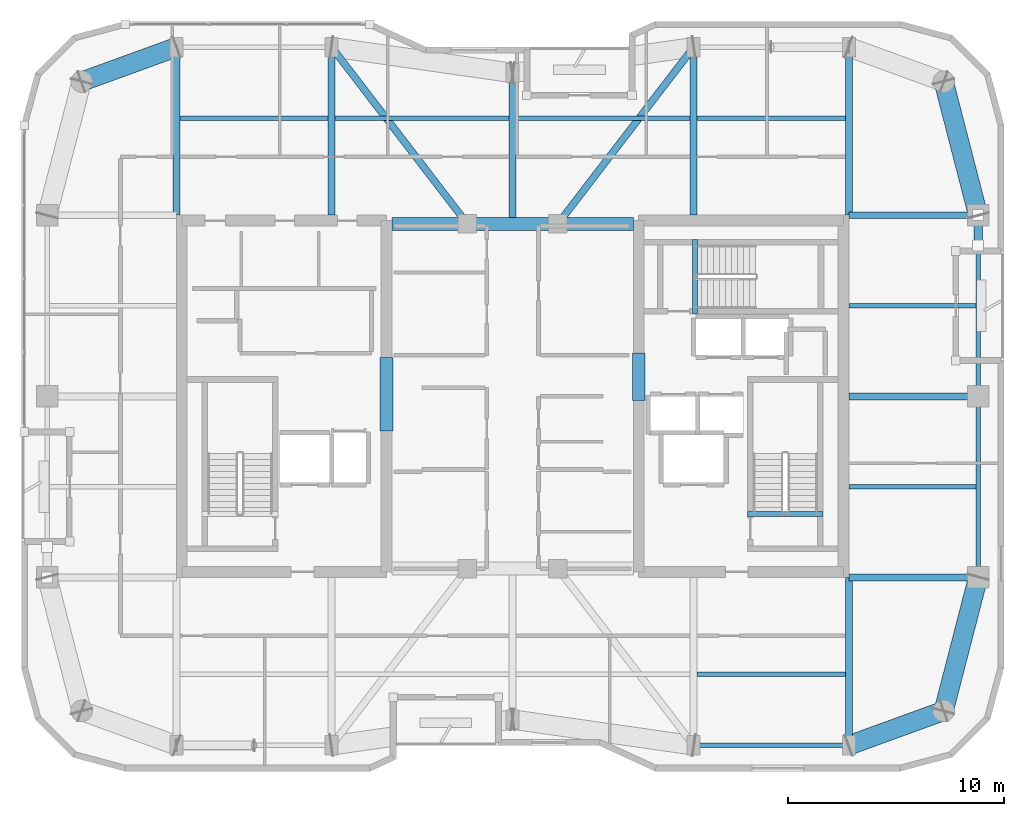
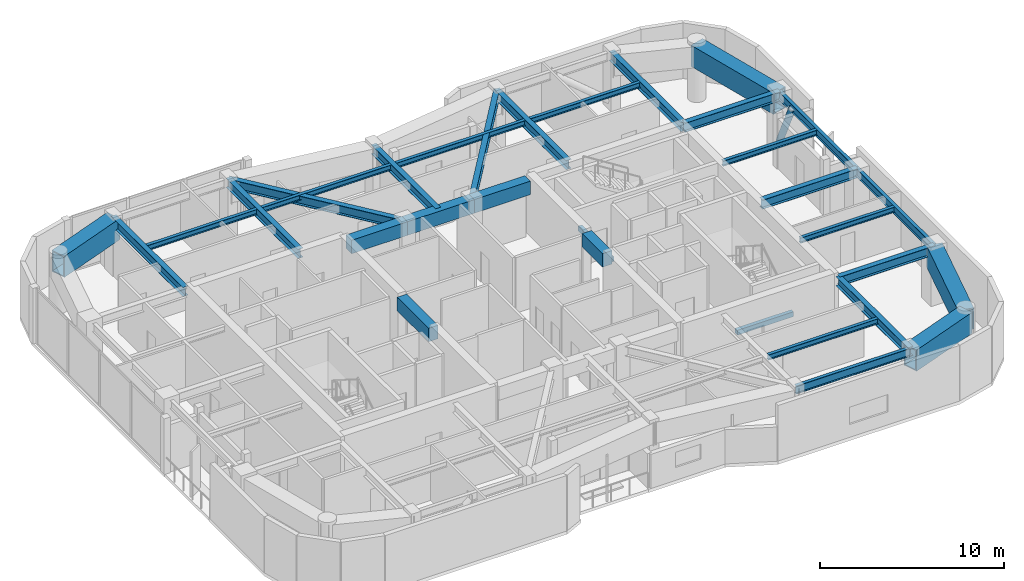
# One storey, part 5 of 15: 32 beams, 1 member.
"""IFC4 building model written with IfcOpenShell, lengths in metres."""

from ifc_helpers import new_model, si_unit, direction, frame, origin, origin_2d, place, context, subcontext, project, spatial, rectangle, hollow_rectangle, hollow_circle, i_section, extrude, material, material_profile, profile_set, type_object, element, save


model = new_model("IFC4")

# Units and contexts
model_context = context("Model", 3, precision=1e-05, world=origin(), true_north=direction((0.0, 1.0)))
body_context = subcontext(model_context, "Body", "Model", "MODEL_VIEW")
ifc_project = project(units=[si_unit("LENGTHUNIT", "METRE"), si_unit("AREAUNIT", "SQUARE_METRE"), si_unit("VOLUMEUNIT", "CUBIC_METRE"), si_unit("PLANEANGLEUNIT", "RADIAN"), si_unit("MASSUNIT", "GRAM", prefix="KILO")], contexts=[model_context])

# Site, building, storey
site_placement = place(None, origin())
site = spatial("IfcSite", under=ifc_project, at=site_placement, CompositionType="ELEMENT")
building_placement = place(site_placement, origin())
building = spatial("IfcBuilding", under=site, at=building_placement, Name="Kiyonajd Concourse Tower", CompositionType="ELEMENT")
storey_placement = place(building_placement, frame((0.0, 0.0, 262.800048828125)))
storey = spatial("IfcBuildingStorey", under=building, at=storey_placement, Name="L66", CompositionType="ELEMENT", Elevation=262.800048828125)

# Beams
ifc_material_1 = material(Name="Concrete C60/75", Category="concrete")
ifc_material_profile_1 = material_profile(ifc_material_1, rectangle(XDim=0.60009765625, YDim=0.89990234375, at=origin_2d()), Name="RCBM-600x900")
ifc_profile_set_1 = profile_set([ifc_material_profile_1], Name="Concrete C60/75")
beam_type_1 = type_object("IfcBeamType", Name="BM-COUP-900", PredefinedType="LINTEL", material=ifc_profile_set_1)
beam_1_placement = place(storey_placement, frame((42.39990234375, 44.0, 3.22998046875), z_axis=(1.0, 0.0, 0.0), x_axis=(0.0, 1.0, 0.0)))
element("IfcBeam", 1, at=beam_1_placement, inside=storey, type_object=beam_type_1, Name="L66 Core Coupling Beam N1", PredefinedType="LINTEL", context=body_context, shape_type="SweptSolid", body=[
    extrude(rectangle(XDim=0.60009765625, YDim=0.89990234375, at=origin_2d()), origin(), (0.0, 0.0, 1.0), 3.5),
])
beam_2_placement = place(storey_placement, frame((45.89990234375, 44.0, 3.22998046875), z_axis=(1.0, 0.0, 0.0), x_axis=(0.0, 1.0, 0.0)))
element("IfcBeam", 2, at=beam_2_placement, inside=storey, type_object=beam_type_1, Name="L66 Core Coupling Beam N2", PredefinedType="LINTEL", context=body_context, shape_type="SweptSolid", body=[
    extrude(rectangle(XDim=0.60009765625, YDim=0.89990234375, at=origin_2d()), origin(), (0.0, 0.0, 1.0), 4.2001953125),
])
beam_3_placement = place(storey_placement, frame((50.10009765625, 44.0, 3.22998046875), z_axis=(1.0, 0.0, 0.0), x_axis=(0.0, 1.0, 0.0)))
element("IfcBeam", 3, at=beam_3_placement, inside=storey, type_object=beam_type_1, Name="L66 Core Coupling Beam N3", PredefinedType="LINTEL", context=body_context, shape_type="SweptSolid", body=[
    extrude(rectangle(XDim=0.60009765625, YDim=0.89990234375, at=origin_2d()), origin(), (0.0, 0.0, 1.0), 3.5),
])
beam_4_placement = place(storey_placement, frame((42.14990234375, 34.39990234375, 3.22998046875), z_axis=(0.0, 1.0, 0.0), x_axis=(-1.0, 0.0, 0.0)))
element("IfcBeam", 4, at=beam_4_placement, inside=storey, type_object=beam_type_1, Name="L66 West Core Throat Coupling Lintel", PredefinedType="LINTEL", context=body_context, shape_type="SweptSolid", body=[
    extrude(rectangle(XDim=0.60009765625, YDim=0.89990234375, at=origin_2d()), origin(), (0.0, 0.0, 1.0), 3.400146484375),
])
beam_5_placement = place(storey_placement, frame((53.85009765625, 35.800048828125, 3.22998046875), z_axis=(0.0, 1.0, 0.0), x_axis=(-1.0, 0.0, 0.0)))
element("IfcBeam", 5, at=beam_5_placement, inside=storey, type_object=beam_type_1, Name="L66 East Core Throat Coupling Lintel", PredefinedType="LINTEL", context=body_context, shape_type="SweptSolid", body=[
    extrude(rectangle(XDim=0.60009765625, YDim=0.89990234375, at=origin_2d()), origin(), (0.0, 0.0, 1.0), 2.199951171875),
])
ifc_material_2 = material(Name="Steel ASTM A992 Grade 50", Category="steel")
ifc_material_profile_2 = material_profile(ifc_material_2, i_section(OverallWidth=0.205078125, OverallDepth=0.35400390625, WebThickness=0.009521484375, FlangeThickness=0.016845703125, at=origin_2d()), Name="W360X79")
ifc_profile_set_2 = profile_set([ifc_material_profile_2], Name="Steel ASTM A992 Grade 50")
beam_type_2 = type_object("IfcBeamType", Name="BM-JST-360", PredefinedType="JOIST", material=ifc_profile_set_2)
for number, where, z_axis, x_axis, name in (
    (6, (56.56201171875, 23.10009765625, 3.5029296875), (1.0, 0.0, 0.0), (0.0, 1.0, 0.0), "L66 Secondary Floor Joist"),
    (7, (32.56201171875, 48.89990234375, 3.5029296875), (1.0, 0.0, 0.0), (0.0, 1.0, 0.0), "L66 Secondary Floor Joist"),
):
    element("IfcBeam", number, at=place(storey_placement, frame(where, z_axis=z_axis, x_axis=x_axis)), inside=storey, type_object=beam_type_2, Name=name, PredefinedType="JOIST", context=body_context, shape_type="SweptSolid", body=[
        extrude(i_section(OverallWidth=0.205078125, OverallDepth=0.35400390625, WebThickness=0.009521484375, FlangeThickness=0.016845703125, at=origin_2d()), origin(), (0.0, 0.0, 1.0), 6.8759765625),
    ])
for number, where, z_axis, x_axis, name in (
    (8, (39.761962890625, 48.89990234375, 3.5029296875), (1.0, 0.0, 0.0), (0.0, 1.0, 0.0), "L66 Secondary Floor Joist"),
    (9, (48.162109375, 48.89990234375, 3.5029296875), (1.0, 0.0, 0.0), (0.0, 1.0, 0.0), "L66 Secondary Floor Joist"),
):
    element("IfcBeam", number, at=place(storey_placement, frame(where, z_axis=z_axis, x_axis=x_axis)), inside=storey, type_object=beam_type_2, Name=name, PredefinedType="JOIST", context=body_context, shape_type="SweptSolid", body=[
        extrude(i_section(OverallWidth=0.205078125, OverallDepth=0.35400390625, WebThickness=0.009521484375, FlangeThickness=0.016845703125, at=origin_2d()), origin(), (0.0, 0.0, 1.0), 8.075927734375),
    ])
beam_6_placement = place(storey_placement, frame((56.56201171875, 48.89990234375, 3.5029296875), z_axis=(1.0, 0.0, 0.0), x_axis=(0.0, 1.0, 0.0)))
element("IfcBeam", 10, at=beam_6_placement, inside=storey, type_object=beam_type_2, Name="L66 Secondary Floor Joist", PredefinedType="JOIST", context=body_context, shape_type="SweptSolid", body=[
    extrude(i_section(OverallWidth=0.205078125, OverallDepth=0.35400390625, WebThickness=0.009521484375, FlangeThickness=0.016845703125, at=origin_2d()), origin(), (0.0, 0.0, 1.0), 6.8759765625),
])
for number, where, z_axis, x_axis, name in (
    (11, (63.60009765625, 31.800048828125, 3.5029296875), (1.0, 0.0, 0.0), (0.0, 1.0, 0.0), "L66 East Secondary Floor Joist"),
    (12, (63.60009765625, 40.199951171875, 3.5029296875), (1.0, 0.0, 0.0), (0.0, 1.0, 0.0), "L66 East Secondary Floor Joist"),
):
    element("IfcBeam", number, at=place(storey_placement, frame(where, z_axis=z_axis, x_axis=x_axis)), inside=storey, type_object=beam_type_2, Name=name, PredefinedType="JOIST", context=body_context, shape_type="SweptSolid", body=[
        extrude(i_section(OverallWidth=0.205078125, OverallDepth=0.35400390625, WebThickness=0.009521484375, FlangeThickness=0.016845703125, at=origin_2d()), origin(), (0.0, 0.0, 1.0), 5.894287109375),
    ])
ifc_material_3 = material(Name="Concrete C50/60", Category="concrete")
ifc_material_profile_3 = material_profile(ifc_material_3, rectangle(XDim=0.239990234375, YDim=0.320068359375, at=origin_2d()), Name="RCBM-240x320")
ifc_profile_set_3 = profile_set([ifc_material_profile_3], Name="Concrete C50/60")
beam_type_3 = type_object("IfcBeamType", Name="BM-LNT-250", PredefinedType="LINTEL", material=ifc_profile_set_3)
beam_7_placement = place(storey_placement, frame((58.889892578125, 30.530029296875, -0.16015625), z_axis=(1.0, 0.0, 0.0), x_axis=(0.0, 1.0, 0.0)))
element("IfcBeam", 13, at=beam_7_placement, inside=storey, type_object=beam_type_3, Name="L66 Stair ST2 Threshold Support Beam", PredefinedType="LINTEL", context=body_context, shape_type="SweptSolid", body=[
    extrude(rectangle(XDim=0.239990234375, YDim=0.320068359375, at=origin_2d()), origin(), (0.0, 0.0, 1.0), 3.52001953125),
])
beam_8_placement = place(storey_placement, frame((56.4599609375, 39.820068359375, -0.16015625), z_axis=(0.0, 1.0, 0.0), x_axis=(-1.0, 0.0, 0.0)))
element("IfcBeam", 14, at=beam_8_placement, inside=storey, type_object=beam_type_3, Name="L66 Stair ST3 Threshold Support Beam", PredefinedType="LINTEL", context=body_context, shape_type="SweptSolid", body=[
    extrude(rectangle(XDim=0.239990234375, YDim=0.320068359375, at=origin_2d()), origin(), (0.0, 0.0, 1.0), 3.4599609375),
])
ifc_material_profile_4 = material_profile(ifc_material_2, i_section(OverallWidth=0.2109375, OverallDepth=0.5390625, WebThickness=0.01171875, FlangeThickness=0.018798828125, at=origin_2d()), Name="W530X109")
ifc_profile_set_4 = profile_set([ifc_material_profile_4], Name="Steel ASTM A992 Grade 50")
beam_type_4 = type_object("IfcBeamType", Name="BM-SPAN-530B", PredefinedType="SPANDREL", material=ifc_profile_set_4)
beam_9_placement = place(storey_placement, frame((56.39990234375, 19.800048828125, 3.410400390625), z_axis=(1.0, 0.0, 0.0), x_axis=(0.0, 1.0, 0.0)))
element("IfcBeam", 15, at=beam_9_placement, inside=storey, type_object=beam_type_4, Name="L66 Perimeter Bundled Tube Spandrel", PredefinedType="SPANDREL", context=body_context, shape_type="SweptSolid", body=[
    extrude(i_section(OverallWidth=0.2109375, OverallDepth=0.5390625, WebThickness=0.01171875, FlangeThickness=0.018798828125, at=origin_2d()), origin(), (0.0, 0.0, 1.0), 7.2001953125),
])
for number, where, z_axis, x_axis, name in (
    (16, (69.60009765625, 27.60009765625, 3.410400390625), (0.0, 1.0, 0.0), (-1.0, 0.0, 0.0), "L66 Perimeter Bundled Tube Spandrel"),
    (17, (69.60009765625, 36.0, 3.410400390625), (0.0, 1.0, 0.0), (-1.0, 0.0, 0.0), "L66 Perimeter Bundled Tube Spandrel"),
):
    element("IfcBeam", number, at=place(storey_placement, frame(where, z_axis=z_axis, x_axis=x_axis)), inside=storey, type_object=beam_type_4, Name=name, PredefinedType="SPANDREL", context=body_context, shape_type="SweptSolid", body=[
        extrude(i_section(OverallWidth=0.2109375, OverallDepth=0.5390625, WebThickness=0.01171875, FlangeThickness=0.018798828125, at=origin_2d()), origin(), (0.0, 0.0, 1.0), 8.39990234375),
    ])
ifc_material_profile_5 = material_profile(ifc_material_2, i_section(OverallWidth=0.326904296875, OverallDepth=0.6220703125, WebThickness=0.015380859375, FlangeThickness=0.0244140625, at=origin_2d()), Name="W610X195")
ifc_profile_set_5 = profile_set([ifc_material_profile_5], Name="Steel ASTM A992 Grade 50")
beam_type_5 = type_object("IfcBeamType", Name="BM-TWR-610A", PredefinedType="BEAM", material=ifc_profile_set_5)
for number, where, z_axis, x_axis, name in (
    (18, (39.60009765625, 52.199951171875, 3.368896484375), (0.609233709922, -0.792990722956, 0.0), (0.792990722956, 0.609233709922, 0.0), "L66 Core Tie Girder"),
    (19, (50.10009765625, 44.0, 3.368896484375), (0.609233709922, 0.792990722956, 0.0), (-0.792990722956, 0.609233709922, 0.0), "L66 Core Tie Girder"),
):
    element("IfcBeam", number, at=place(storey_placement, frame(where, z_axis=z_axis, x_axis=x_axis)), inside=storey, type_object=beam_type_5, Name=name, PredefinedType="BEAM", context=body_context, shape_type="SweptSolid", body=[
        extrude(i_section(OverallWidth=0.326904296875, OverallDepth=0.6220703125, WebThickness=0.015380859375, FlangeThickness=0.0244140625, at=origin_2d()), origin(), (0.0, 0.0, 1.0), 10.340576171875),
    ])
ifc_material_profile_6 = material_profile(ifc_material_2, i_section(OverallWidth=0.323974609375, OverallDepth=0.611083984375, WebThickness=0.0126953125, FlangeThickness=0.01904296875, at=origin_2d()), Name="W610X155")
ifc_profile_set_6 = profile_set([ifc_material_profile_6], Name="Steel ASTM A992 Grade 50")
beam_type_6 = type_object("IfcBeamType", Name="BM-TWR-610B", PredefinedType="BEAM", material=ifc_profile_set_6)
for number, where, z_axis, x_axis, name in (
    (20, (32.39990234375, 44.39990234375, 3.37451171875), (0.0, 1.0, 0.0), (-1.0, 0.0, 0.0), "L66 North Lease Girder"),
    (21, (39.60009765625, 44.39990234375, 3.37451171875), (0.0, 1.0, 0.0), (-1.0, 0.0, 0.0), "L66 North Lease Girder"),
    (22, (56.39990234375, 44.39990234375, 3.37451171875), (0.0, 1.0, 0.0), (-1.0, 0.0, 0.0), "L66 North Lease Girder"),
    (23, (63.60009765625, 19.800048828125, 3.37451171875), (0.0, 1.0, 0.0), (-1.0, 0.0, 0.0), "L66 South Lease Girder"),
    (24, (63.60009765625, 44.39990234375, 3.37451171875), (0.0, 1.0, 0.0), (-1.0, 0.0, 0.0), "L66 North Lease Girder"),
):
    element("IfcBeam", number, at=place(storey_placement, frame(where, z_axis=z_axis, x_axis=x_axis)), inside=storey, type_object=beam_type_6, Name=name, PredefinedType="BEAM", context=body_context, shape_type="SweptSolid", body=[
        extrude(i_section(OverallWidth=0.323974609375, OverallDepth=0.611083984375, WebThickness=0.0126953125, FlangeThickness=0.01904296875, at=origin_2d()), origin(), (0.0, 0.0, 1.0), 7.800048828125),
    ])
beam_10_placement = place(storey_placement, frame((48.0, 44.0, 3.37451171875), z_axis=(0.0, 1.0, 0.0), x_axis=(-1.0, 0.0, 0.0)))
element("IfcBeam", 25, at=beam_10_placement, inside=storey, type_object=beam_type_6, Name="L66 North Ribbon Girder", PredefinedType="BEAM", context=body_context, shape_type="SweptSolid", body=[
    extrude(i_section(OverallWidth=0.323974609375, OverallDepth=0.611083984375, WebThickness=0.0126953125, FlangeThickness=0.01904296875, at=origin_2d()), origin(), (0.0, 0.0, 1.0), 7.0),
])
for number, where, z_axis, x_axis, name in (
    (26, (63.60009765625, 27.60009765625, 3.37451171875), (1.0, 0.0, 0.0), (0.0, 1.0, 0.0), "L66 East Lease Girder"),
    (27, (63.60009765625, 36.0, 3.37451171875), (1.0, 0.0, 0.0), (0.0, 1.0, 0.0), "L66 East Lease Girder"),
    (28, (63.60009765625, 44.39990234375, 3.37451171875), (1.0, 0.0, 0.0), (0.0, 1.0, 0.0), "L66 East Lease Girder"),
):
    element("IfcBeam", number, at=place(storey_placement, frame(where, z_axis=z_axis, x_axis=x_axis)), inside=storey, type_object=beam_type_6, Name=name, PredefinedType="BEAM", context=body_context, shape_type="SweptSolid", body=[
        extrude(i_section(OverallWidth=0.323974609375, OverallDepth=0.611083984375, WebThickness=0.0126953125, FlangeThickness=0.01904296875, at=origin_2d()), origin(), (0.0, 0.0, 1.0), 6.0),
    ])
ifc_material_4 = material(Name="Steel ASTM A572 Grade 50", Category="steel")
ifc_material_profile_7 = material_profile(ifc_material_4, hollow_rectangle(XDim=0.89990234375, YDim=1.39990234375, WallThickness=0.070068359375, at=origin_2d()), Name="BOX-1400x900x70")
ifc_profile_set_7 = profile_set([ifc_material_profile_7], Name="Steel ASTM A572 Grade 50")
beam_type_7 = type_object("IfcBeamType", Name="BM-XFER-1400", PredefinedType="BEAM", material=ifc_profile_set_7)
beam_11_placement = place(storey_placement, frame((63.60009765625, 19.800048828125, 2.97998046875), z_axis=(0.939801036019, 0.341722127901, 0.0), x_axis=(-0.341722127901, 0.939801036019, 0.0)))
element("IfcBeam", 29, at=beam_11_placement, inside=storey, type_object=beam_type_7, Name="L66 Perimeter Bundled Tube Spandrel", PredefinedType="BEAM", context=body_context, shape_type="SweptSolid", body=[
    extrude(hollow_rectangle(XDim=0.89990234375, YDim=1.39990234375, WallThickness=0.070068359375, at=origin_2d()), origin(), (0.0, 0.0, 1.0), 4.681640625),
])
for number, where, z_axis, x_axis, name in (
    (30, (68.0, 21.39990234375, 2.97998046875), (0.249884937687, 0.968275538221, 0.0), (-0.968275538221, 0.249884937687, 0.0), "L66 Perimeter Bundled Tube Spandrel"),
    (31, (69.60009765625, 44.39990234375, 2.97998046875), (-0.249884937687, 0.968275538221, 0.0), (-0.968275538221, -0.249884937687, 0.0), "L66 Perimeter Bundled Tube Spandrel"),
):
    element("IfcBeam", number, at=place(storey_placement, frame(where, z_axis=z_axis, x_axis=x_axis)), inside=storey, type_object=beam_type_7, Name=name, PredefinedType="BEAM", context=body_context, shape_type="SweptSolid", body=[
        extrude(hollow_rectangle(XDim=0.89990234375, YDim=1.39990234375, WallThickness=0.070068359375, at=origin_2d()), origin(), (0.0, 0.0, 1.0), 6.4033203125),
    ])
beam_12_placement = place(storey_placement, frame((32.39990234375, 52.199951171875, 2.97998046875), z_axis=(-0.939801036019, -0.341722127901, 0.0), x_axis=(0.341722127901, -0.939801036019, 0.0)))
element("IfcBeam", 32, at=beam_12_placement, inside=storey, type_object=beam_type_7, Name="L66 Perimeter Bundled Tube Spandrel", PredefinedType="BEAM", context=body_context, shape_type="SweptSolid", body=[
    extrude(hollow_rectangle(XDim=0.89990234375, YDim=1.39990234375, WallThickness=0.070068359375, at=origin_2d()), origin(), (0.0, 0.0, 1.0), 4.681640625),
])

# Member
ifc_material_5 = material(Name="Steel ASTM A500 Grade C", Category="steel")
ifc_material_profile_8 = material_profile(ifc_material_5, hollow_circle(Radius=0.202880859375, WallThickness=0.01904296875, at=origin_2d()), Name="CHS-406x19")
ifc_profile_set_8 = profile_set([ifc_material_profile_8], Name="Steel ASTM A500 Grade C")
member_type = type_object("IfcMemberType", Name="MB-PB-HIGH", PredefinedType="BRACE", material=ifc_profile_set_8)
member_placement = place(storey_placement, frame((69.60009765625, 44.39990234375, 0.300048828125), z_axis=(0.0, -0.419438517439, 0.907783746323), x_axis=(1.0, 0.0, 0.0)))
element("IfcMember", 33, at=member_placement, inside=storey, type_object=member_type, Name="L66 Upper Zone Hollow Tube Brace PBE", PredefinedType="BRACE", context=body_context, shape_type="SweptSolid", body=[
    extrude(hollow_circle(Radius=0.202880859375, WallThickness=0.01904296875, at=origin_2d()), origin(), (0.0, 0.0, 1.0), 3.337646484375),
])

save(model, "model.ifc")
